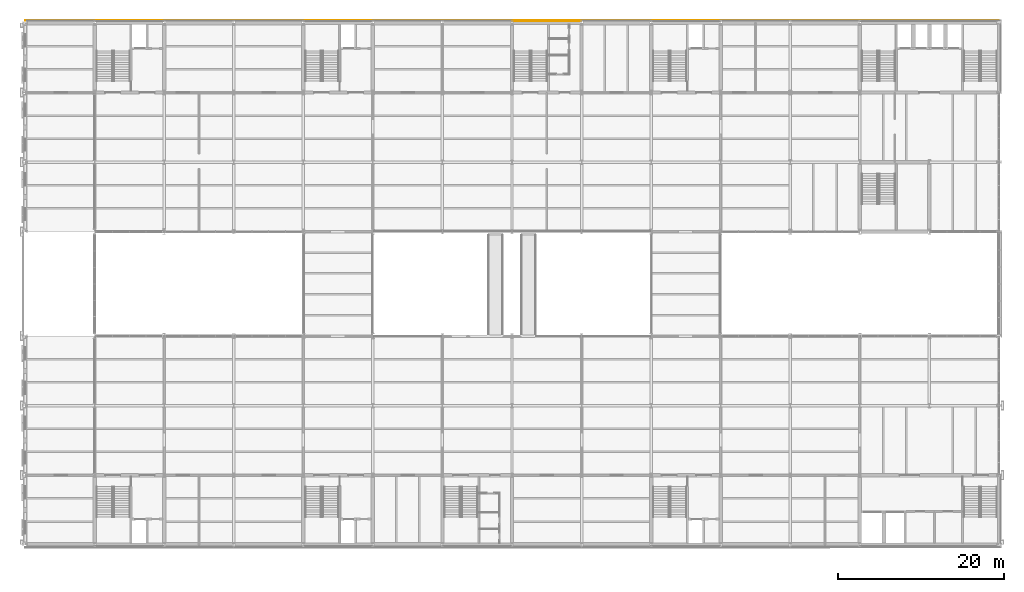
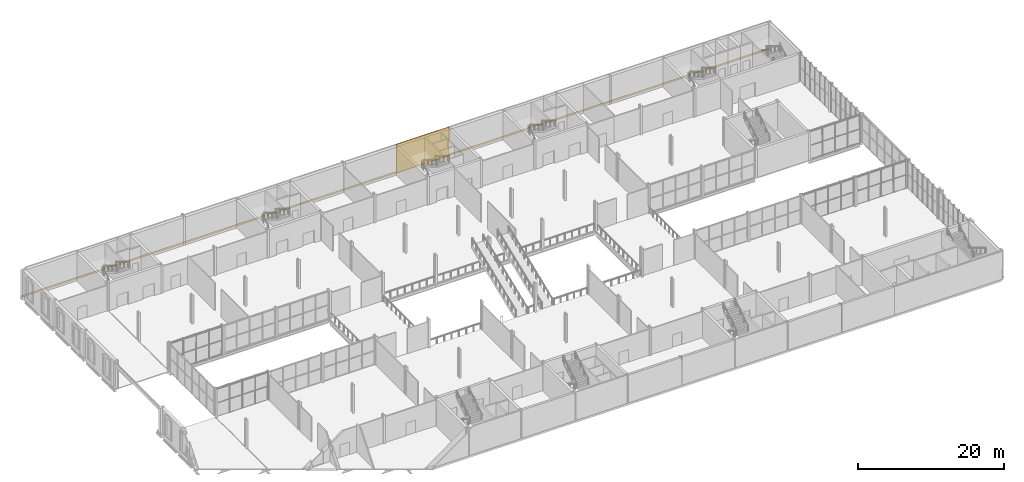
# One storey, part 52 of 61: 2 coverings.
"""IFC4 building model written with IfcOpenShell, lengths in metres."""

from ifc_helpers import new_model, si_unit, direction, frame, origin, origin_2d, place, context, subcontext, project, spatial, polyline, rectangle, outline, extrude, material, layer, layer_set, type_object, element, save


model = new_model("IFC4")

# Units and contexts
model_context = context("Model", 3, precision=1e-05, world=origin(), true_north=direction((0.0, 1.0)))
body_context = subcontext(model_context, "Body", "Model", "MODEL_VIEW")
ifc_project = project(units=[si_unit("LENGTHUNIT", "METRE"), si_unit("AREAUNIT", "SQUARE_METRE"), si_unit("VOLUMEUNIT", "CUBIC_METRE"), si_unit("PLANEANGLEUNIT", "RADIAN"), si_unit("MASSUNIT", "GRAM", prefix="KILO")], contexts=[model_context])

# Site, building, storey
site_placement = place(None, origin())
site = spatial("IfcSite", under=ifc_project, at=site_placement, CompositionType="ELEMENT")
building_placement = place(site_placement, origin())
building = spatial("IfcBuilding", under=site, at=building_placement, Name="Galleria Vessillo Department Store", CompositionType="ELEMENT")
storey_placement = place(building_placement, frame((0.0, 0.0, 11.39990234375)))
storey = spatial("IfcBuildingStorey", under=building, at=storey_placement, Name="L02", CompositionType="ELEMENT", Elevation=11.39990234375)

# Coverings
ifc_material_1 = material(Name="Lime plaster (intonaco) ochre")
ifc_layer_1 = layer(ifc_material_1, 0.030029296875)
ifc_layer_set_1 = layer_set([ifc_layer_1], Name="Lime plaster (intonaco) ochre")
covering_type_1 = type_object("IfcCoveringType", Name="Lime plaster render 30 mm", PredefinedType="CLADDING", material=ifc_layer_set_1)
covering_1_placement = place(storey_placement, frame((63.0, 63.215087890625, 0.0), z_axis=(0.0, 0.0, 1.0), x_axis=(1.0, 0.0, 0.0)))
element("IfcCovering", 1, at=covering_1_placement, inside=storey, type_object=covering_type_1, Name="Wall cladding S-CW-PC-NC-PARTY-L02", PredefinedType="CLADDING", context=body_context, shape_type="SweptSolid", body=[
    extrude(rectangle(XDim=8.33984375, YDim=0.030029296875, at=origin_2d()), origin(), (0.0, 0.0, 1.0), 4.800048828125),
])
ifc_material_2 = material(Name="Botticino limestone ashlar", Category="masonry")
ifc_layer_2 = layer(ifc_material_2, 0.080078125)
ifc_layer_set_2 = layer_set([ifc_layer_2], Name="Botticino limestone ashlar")
covering_type_2 = type_object("IfcCoveringType", Name="Limestone flank string course 300 x 80", PredefinedType="MOLDING", material=ifc_layer_set_2)
covering_2_placement = place(storey_placement, frame((0.0, 63.0, -0.14990234375), z_axis=(1.0, 0.0, 0.0), x_axis=(0.0, 1.0, 0.0)))
element("IfcCovering", 2, at=covering_2_placement, inside=storey, type_object=covering_type_2, Name="Flank string course N L02", PredefinedType="MOLDING", context=body_context, shape_type="SweptSolid", body=[
    extrude(outline(polyline([(0.280029296875, 0.0), (0.360107421875, 0.0), (0.360107421875, 0.300048828125), (0.280029296875, 0.300048828125), (0.280029296875, 0.0)])), origin(), (0.0, 0.0, 1.0), 117.60009765625),
])

save(model, "model.ifc")
